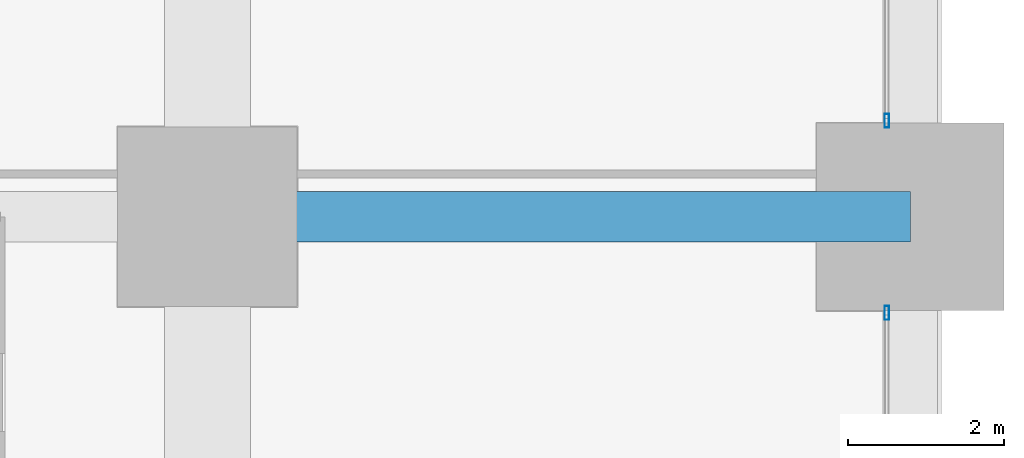
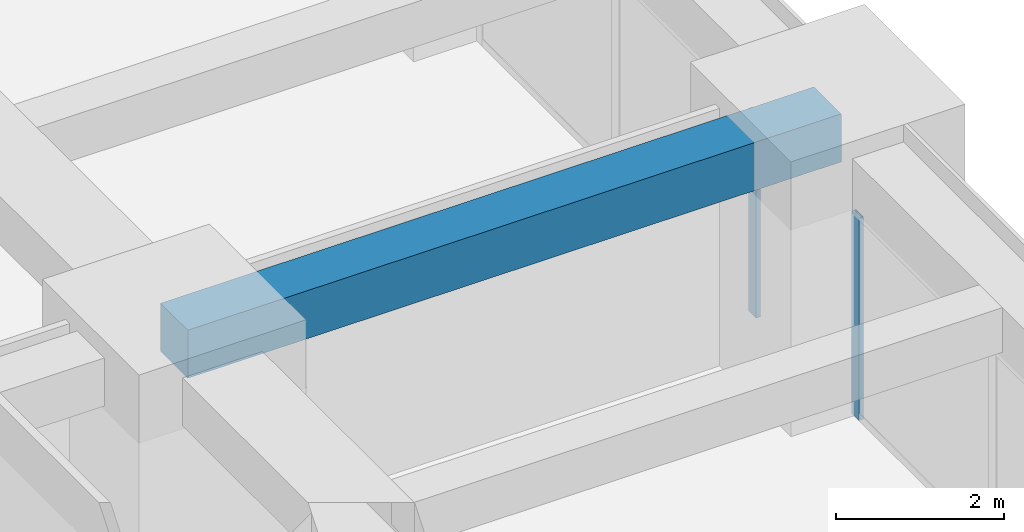
# One storey, part 32 of 45: 2 members, 1 beam, 2 elements without a shape of their own.
"""IFC4 building model written with IfcOpenShell, lengths in metres."""

from ifc_helpers import new_model, si_unit, direction, frame, origin, origin_2d, place, context, subcontext, project, spatial, rectangle, hollow_rectangle, extrude, material, material_profile, profile_set, type_object, element, aggregate, save


model = new_model("IFC4")

# Units and contexts
model_context = context("Model", 3, precision=1e-05, world=origin(), true_north=direction((0.0, 1.0)))
body_context = subcontext(model_context, "Body", "Model", "MODEL_VIEW")
ifc_project = project(units=[si_unit("LENGTHUNIT", "METRE"), si_unit("AREAUNIT", "SQUARE_METRE"), si_unit("VOLUMEUNIT", "CUBIC_METRE"), si_unit("PLANEANGLEUNIT", "RADIAN"), si_unit("MASSUNIT", "GRAM", prefix="KILO")], contexts=[model_context])

# Site, building, storey
site_placement = place(None, origin())
site = spatial("IfcSite", under=ifc_project, at=site_placement, CompositionType="ELEMENT")
building_placement = place(site_placement, origin())
building = spatial("IfcBuilding", under=site, at=building_placement, Name="Zorevar Civic Tower", CompositionType="ELEMENT")
storey_placement = place(building_placement, frame((0.0, 0.0, 39.800048828125)))
storey = spatial("IfcBuildingStorey", under=building, at=storey_placement, Name="L09", CompositionType="ELEMENT", Elevation=39.800048828125)

# Beam
ifc_material_1 = material(Name="Concrete C50/60", Category="concrete")
ifc_material_profile_1 = material_profile(ifc_material_1, rectangle(XDim=0.64990234375, YDim=0.699951171875, at=origin_2d()), Name="RC 650x700")
ifc_profile_set_1 = profile_set([ifc_material_profile_1], Name="Concrete C50/60")
beam_type = type_object("IfcBeamType", Name="Beam RC 650x700", PredefinedType="BEAM", material=ifc_profile_set_1)
beam_placement = place(storey_placement, frame((54.0, 36.0, 3.39990234375), z_axis=(1.0, 0.0, 0.0), x_axis=(0.0, 1.0, 0.0)))
element("IfcBeam", 1, at=beam_placement, inside=storey, type_object=beam_type, Name="Girder L10", PredefinedType="BEAM", context=body_context, shape_type="SweptSolid", body=[
    extrude(rectangle(XDim=0.64990234375, YDim=0.699951171875, at=origin_2d()), origin(), (0.0, 0.0, 1.0), 9.0),
])

# Curtain wall, member
ifc_material_2 = material(Name="Dark grey solar-control glass in black aluminium frame", Category="aluminium")
curtain_wall_type = type_object("IfcCurtainWallType", Name="Curtain wall CW2 low zone", PredefinedType="NOTDEFINED", material=ifc_material_2)
curtain_wall_1_placement = place(storey_placement, origin())
curtain_wall_1 = element("IfcCurtainWall", 2, at=curtain_wall_1_placement, inside=storey, type_object=curtain_wall_type, Name="CW2 L09", PredefinedType="NOTDEFINED")
ifc_material_3 = material(Name="Aluminium, black anodised", Category="aluminium")
ifc_material_profile_2 = material_profile(ifc_material_3, hollow_rectangle(XDim=0.06005859375, YDim=0.179931640625, WallThickness=0.00390625, at=origin_2d()), Name="AL 180x60x4")
ifc_profile_set_2 = profile_set([ifc_material_profile_2], Name="Aluminium, black anodised")
member_type = type_object("IfcMemberType", Name="CW2 mullion AL 180x60x4", PredefinedType="MULLION", material=ifc_profile_set_2)
member_1_placement = place(storey_placement, frame((62.699951171875, 34.77001953125, 0.0), z_axis=(0.0, 0.0, 1.0), x_axis=(-1.0, 0.0, 0.0)))
member_1 = element("IfcMember", 3, at=member_1_placement, type_object=member_type, Name="CW2 mullion 3", PredefinedType="MULLION", context=body_context, shape_type="SweptSolid", body=[
    extrude(hollow_rectangle(XDim=0.06005859375, YDim=0.179931640625, WallThickness=0.00390625, at=origin_2d()), origin(), (0.0, 0.0, 1.0), 2.949951171875),
])
aggregate(curtain_wall_1, [member_1])

curtain_wall_2_placement = place(storey_placement, origin())
curtain_wall_2 = element("IfcCurtainWall", 4, at=curtain_wall_2_placement, inside=storey, type_object=curtain_wall_type, Name="CW2 L09", PredefinedType="NOTDEFINED")
member_2_placement = place(storey_placement, frame((62.699951171875, 37.22998046875, 0.0), z_axis=(0.0, 0.0, 1.0), x_axis=(-1.0, 0.0, 0.0)))
member_2 = element("IfcMember", 5, at=member_2_placement, type_object=member_type, Name="CW2 mullion 1", PredefinedType="MULLION", context=body_context, shape_type="SweptSolid", body=[
    extrude(hollow_rectangle(XDim=0.06005859375, YDim=0.179931640625, WallThickness=0.00390625, at=origin_2d()), origin(), (0.0, 0.0, 1.0), 2.949951171875),
])
aggregate(curtain_wall_2, [member_2])

save(model, "model.ifc")
